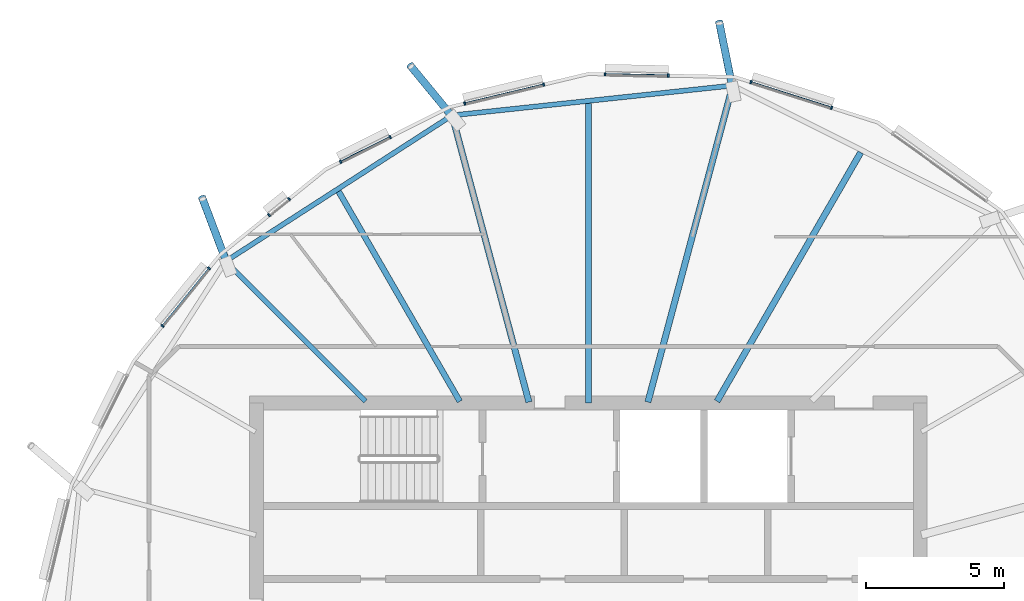
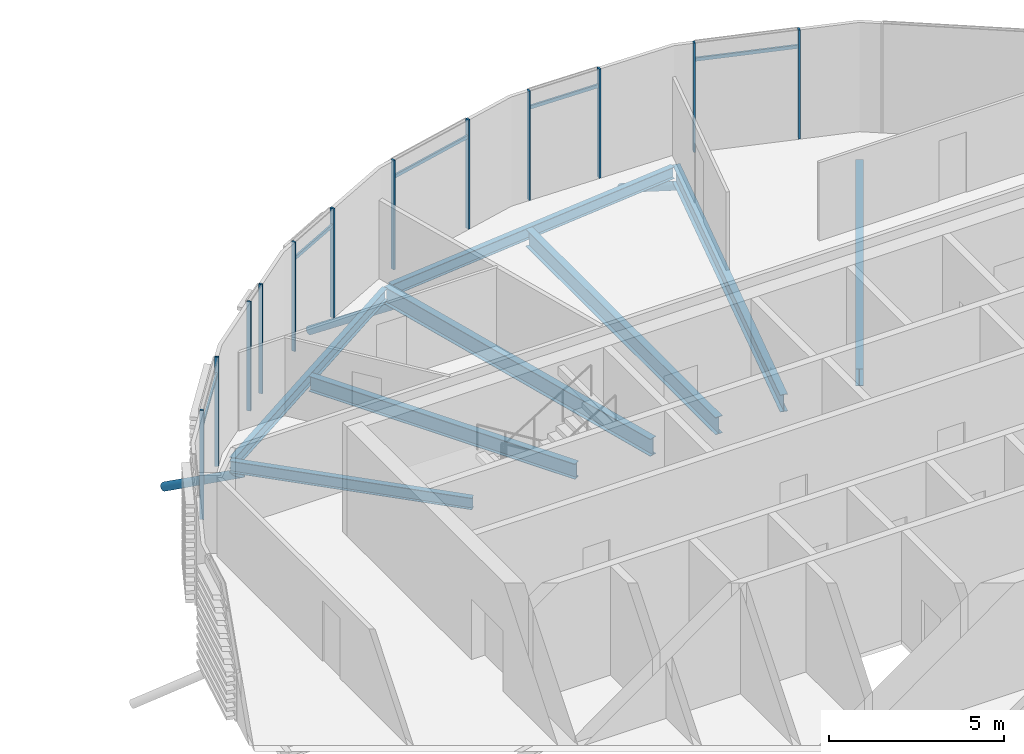
# One storey, part 14 of 41: 20 members, 8 beams, 1 element without a shape of its own.
"""IFC4 building model written with IfcOpenShell, lengths in metres."""

import ifcopenshell
import ifcopenshell.guid

model = None  # the IFC model being written
_history = None  # IfcOwnerHistory: only IFC2X3 demands one
_inside = {}  # id of a spatial element -> (the spatial element, [elements in it])
_under = {}  # id of a project, library or spatial element -> (it, [spatial elements below it])
_declared = {}  # id of a project -> (the project, [libraries it declares])
_typed = {}  # id of a type object -> (the type object, [elements of that type])
_made_of = {}  # id of a material, layer set ... -> (it, [elements and type objects made of it])


def new_model(schema):
    """Start an empty IFC model of exactly this schema.

    Asked for "IFC4X3", IfcOpenShell would pick the latest addendum, in which some entities
    have other attributes; the version numbers below select the first issue.
    IFC2X3 requires an IfcOwnerHistory on every rooted entity: one is made here for all.
    """
    global model, _history
    if schema == "IFC4X3":
        model = ifcopenshell.file(schema_version=(4, 3, 0, 0))
    else:
        model = ifcopenshell.file(schema=schema)
    _inside.clear()
    _under.clear()
    _declared.clear()
    _typed.clear()
    _made_of.clear()
    _history = None
    if model.schema == "IFC2X3":
        org = make("IfcOrganization", Name="unknown")
        user = make(
            "IfcPersonAndOrganization",
            ThePerson=make("IfcPerson", FamilyName="unknown"),
            TheOrganization=org,
        )
        app = make(
            "IfcApplication",
            ApplicationDeveloper=org,
            Version="unknown",
            ApplicationFullName="unknown",
            ApplicationIdentifier="unknown",
        )
        _history = make(
            "IfcOwnerHistory",
            OwningUser=user,
            OwningApplication=app,
            ChangeAction="ADDED",
            CreationDate=0,
        )
    return model


def make(cls, **values):
    """One entity of the class cls with the attributes given. An attribute that is None is left unset."""
    return model.create_entity(
        cls, **{name: value for name, value in values.items() if value is not None}
    )


def rooted(cls, **values):
    """An entity with a GlobalId (a new one), such as an element, a storey or a relation."""
    return make(cls, GlobalId=ifcopenshell.guid.new(), OwnerHistory=_history, **values)


def si_unit(unit_type, name, prefix=None):
    """IfcSIUnit, for example si_unit("LENGTHUNIT", "METRE", prefix="MILLI")."""
    return make("IfcSIUnit", UnitType=unit_type, Prefix=prefix, Name=name)


def assignment(units):
    """IfcUnitAssignment: the units of a project."""
    return None if units is None else make("IfcUnitAssignment", Units=units)


def point(xyz):
    """IfcCartesianPoint."""
    return None if xyz is None else make("IfcCartesianPoint", Coordinates=xyz)


def direction(xyz):
    """IfcDirection."""
    return None if xyz is None else make("IfcDirection", DirectionRatios=xyz)


def frame(location, z_axis=None, x_axis=None):
    """IfcAxis2Placement3D, a coordinate frame: its origin and axes. An axis left out is left unset."""
    return make(
        "IfcAxis2Placement3D",
        Location=point(location),
        Axis=direction(z_axis),
        RefDirection=direction(x_axis),
    )


def frame_2d(location, x_axis=None):
    """IfcAxis2Placement2D, a coordinate frame in the plane: its origin and x axis."""
    return make(
        "IfcAxis2Placement2D", Location=point(location), RefDirection=direction(x_axis)
    )


def origin():
    """The frame at (0, 0, 0) with its axes left unset."""
    return frame((0.0, 0.0, 0.0))


def origin_2d():
    """The frame at (0, 0) in the plane with its x axis left unset."""
    return frame_2d((0.0, 0.0))


def place(relative_to, where):
    """IfcLocalPlacement: puts the frame where relative to a parent placement (None: the world)."""
    return make(
        "IfcLocalPlacement", PlacementRelTo=relative_to, RelativePlacement=where
    )


def context(
    kind, dimensions, precision=None, world=None, true_north=None, identifier=None
):
    """IfcGeometricRepresentationContext, for example the 3D "Model" context."""
    return make(
        "IfcGeometricRepresentationContext",
        ContextIdentifier=identifier,
        ContextType=kind,
        CoordinateSpaceDimension=dimensions,
        Precision=precision,
        WorldCoordinateSystem=world,
        TrueNorth=true_north,
    )


def subcontext(parent, identifier, kind, view, scale=None):
    """IfcGeometricRepresentationSubContext, for example "Body" below "Model"."""
    return make(
        "IfcGeometricRepresentationSubContext",
        ContextIdentifier=identifier,
        ContextType=kind,
        ParentContext=parent,
        TargetScale=scale,
        TargetView=view,
    )


def project(units=None, contexts=None):
    """IfcProject with its units and contexts."""
    return rooted(
        "IfcProject",
        Name="project",
        RepresentationContexts=contexts,
        UnitsInContext=assignment(units),
    )


def spatial(cls, under=None, at=None, **own):
    """A site, building, storey or space (cls), placed at a placement, below another one or the project."""
    s = rooted(cls, ObjectPlacement=at, **own)
    if under is not None:
        _under.setdefault(under.id(), (under, []))[1].append(s)
    return s


def profile(cls, at=None, kind="AREA", **sizes):
    """A parametric profile (cls). Its sizes go by their IFC names, for example OverallWidth=200.0."""
    return make(cls, ProfileType=kind, Position=at, **sizes)


def rectangle(**sizes):
    """IfcRectangleProfileDef."""
    return profile("IfcRectangleProfileDef", **sizes)


def hollow_circle(**sizes):
    """IfcCircleHollowProfileDef."""
    return profile("IfcCircleHollowProfileDef", **sizes)


def i_section(**sizes):
    """IfcIShapeProfileDef."""
    return profile("IfcIShapeProfileDef", **sizes)


def extrude(swept, where, along, depth):
    """IfcExtrudedAreaSolid: the profile swept, set in the frame where, extruded along a direction by depth."""
    return make(
        "IfcExtrudedAreaSolid",
        SweptArea=swept,
        Position=where,
        ExtrudedDirection=direction(along),
        Depth=depth,
    )


def clip(a, b, op="DIFFERENCE"):
    """IfcBooleanClippingResult: the solid a cut by the half space b."""
    return make(
        "IfcBooleanClippingResult", Operator=op, FirstOperand=a, SecondOperand=b
    )


def halfspace(plane, agree):
    """IfcHalfSpaceSolid: all space on one side of the plane z = 0 of the frame plane."""
    return make(
        "IfcHalfSpaceSolid",
        BaseSurface=make("IfcPlane", Position=plane),
        AgreementFlag=agree,
    )


def shape(context_of_items, identifier, shape_type, items):
    """IfcShapeRepresentation: the items that make up one representation, for example the "Body"."""
    return make(
        "IfcShapeRepresentation",
        ContextOfItems=context_of_items,
        RepresentationIdentifier=identifier,
        RepresentationType=shape_type,
        Items=items,
    )


def material(Name=None, Category=None):
    """IfcMaterial."""
    return make("IfcMaterial", Name=Name, Category=Category)


def material_profile(
    of_material, cross_section, Name=None, Category=None, Priority=None
):
    """IfcMaterialProfile: a cross section and its material."""
    return make(
        "IfcMaterialProfile",
        Name=Name,
        Material=of_material,
        Profile=cross_section,
        Priority=Priority,
        Category=Category,
    )


def profile_set(profiles, Name=None, composite=None):
    """IfcMaterialProfileSet."""
    return make(
        "IfcMaterialProfileSet",
        Name=Name,
        MaterialProfiles=profiles,
        CompositeProfile=composite,
    )


def made_of(thing, what):
    """Note that an element or type object is made of a material, layer set ...; save() writes the relation."""
    if what is not None:
        _made_of.setdefault(what.id(), (what, []))[1].append(thing)
    return thing


def type_object(cls, material=None, **own):
    """A type object (cls), such as IfcWallType, which elements share."""
    return made_of(rooted(cls, **own), material)


def element(
    cls,
    number,
    at=None,
    inside=None,
    cuts=None,
    type_object=None,
    material=None,
    context=None,
    identifier="Body",
    shape_type=None,
    held_by="IfcProductDefinitionShape",
    body=None,
    shapes=None,
    **own,
):
    """One element of the class cls, such as IfcWall. Its Tag is "e" and its number.

    at: its placement. inside: the storey or other place that contains it. cuts: it is an
    opening in that element (IfcRelVoidsElement). A single representation is given by context,
    identifier, shape_type and body (its items); several are given by shapes. held_by: the class
    of the entity that holds the representations. save() writes the other relations.
    """
    e = rooted(cls, Tag="e%d" % number, ObjectPlacement=at, **own)
    if body is not None:
        shapes = [shape(context, identifier, shape_type, body)]
    if shapes is not None:
        e.Representation = make(held_by, Representations=shapes)
    if inside is not None:
        _inside.setdefault(inside.id(), (inside, []))[1].append(e)
    if cuts is not None:
        rooted(
            "IfcRelVoidsElement", RelatingBuildingElement=cuts, RelatedOpeningElement=e
        )
    if type_object is not None:
        _typed.setdefault(type_object.id(), (type_object, []))[1].append(e)
    return made_of(e, material)


def aggregate(whole, parts):
    """IfcRelAggregates: a whole, such as a stair, and the parts it consists of."""
    return rooted("IfcRelAggregates", RelatingObject=whole, RelatedObjects=parts)


def save(model, path):
    """Write the relations noted so far, then the file.

    IfcRelAggregates (storeys below a building ...), IfcRelContainedInSpatialStructure (elements
    in a storey), IfcRelDefinesByType, IfcRelAssociatesMaterial and IfcRelDeclares: one each for
    every whole, place, type object, material and project.
    """
    for whole, parts in _under.values():
        aggregate(whole, parts)
    for where, things in _inside.values():
        rooted(
            "IfcRelContainedInSpatialStructure",
            RelatedElements=things,
            RelatingStructure=where,
        )
    for kind, things in _typed.values():
        rooted("IfcRelDefinesByType", RelatedObjects=things, RelatingType=kind)
    for what, things in _made_of.values():
        rooted("IfcRelAssociatesMaterial", RelatedObjects=things, RelatingMaterial=what)
    for by, libraries in _declared.values():
        rooted("IfcRelDeclares", RelatingContext=by, RelatedDefinitions=libraries)
    model.write(path)


model = new_model("IFC4")

# Units and contexts
model_context = context("Model", 3, precision=1e-05, world=origin(), true_north=direction((0.0, 1.0)))
body_context = subcontext(model_context, "Body", "Model", "MODEL_VIEW")
ifc_project = project(units=[si_unit("LENGTHUNIT", "METRE"), si_unit("AREAUNIT", "SQUARE_METRE"), si_unit("VOLUMEUNIT", "CUBIC_METRE"), si_unit("PLANEANGLEUNIT", "RADIAN"), si_unit("MASSUNIT", "GRAM", prefix="KILO")], contexts=[model_context])

# Site, building, storey
site_placement = place(None, origin())
site = spatial("IfcSite", under=ifc_project, at=site_placement, CompositionType="ELEMENT")
building_placement = place(site_placement, origin())
building = spatial("IfcBuilding", under=site, at=building_placement, Name="Rimbun Link Towers", CompositionType="ELEMENT")
storey_placement = place(building_placement, frame((0.0, 0.0, 210.5)))
storey = spatial("IfcBuildingStorey", under=building, at=storey_placement, Name="L51", CompositionType="ELEMENT", Elevation=210.5)

# Curtain wall, members
ifc_material_1 = material(Name="Aluminium 6063-T6 and low-iron glass", Category="aluminium")
curtain_wall_type = type_object("IfcCurtainWallType", Name="CW1-Z4 unitised vision wall (zone 4)", PredefinedType="NOTDEFINED", material=ifc_material_1)
curtain_wall_placement = place(storey_placement, origin())
curtain_wall = element("IfcCurtainWall", 1, at=curtain_wall_placement, inside=storey, type_object=curtain_wall_type, Name="CW1 L51 T2", PredefinedType="NOTDEFINED")
ifc_material_2 = material(Name="Aluminium 6063-T6", Category="aluminium")
ifc_material_profile_1 = material_profile(ifc_material_2, rectangle(XDim=0.1201171875, YDim=0.06005859375, at=origin_2d()), Name="MULLION 60X120")
ifc_profile_set_1 = profile_set([ifc_material_profile_1], Name="Aluminium 6063-T6")
member_type_1 = type_object("IfcMemberType", Name="CW1 mullion 60X120", PredefinedType="MULLION", material=ifc_profile_set_1)
member_1_placement = place(storey_placement, frame((37.625244140625, 19.600341796875, 0.0), z_axis=(0.0, 0.0, 1.0), x_axis=(0.30306786523, 0.952968975919, 0.0)))
member_1 = element("IfcMember", 2, at=member_1_placement, type_object=member_type_1, Name="CW1 mullion", PredefinedType="MULLION", context=body_context, shape_type="SweptSolid", body=[
    extrude(rectangle(XDim=0.1201171875, YDim=0.06005859375, at=origin_2d()), origin(), (0.0, 0.0, 1.0), 3.800048828125),
])
member_2_placement = place(storey_placement, frame((40.5419921875, 18.6728515625, 0.0), z_axis=(0.0, 0.0, 1.0), x_axis=(0.30306786523, 0.952968975919, 0.0)))
member_2 = element("IfcMember", 3, at=member_2_placement, type_object=member_type_1, Name="CW1 mullion", PredefinedType="MULLION", context=body_context, shape_type="SweptSolid", body=[
    extrude(rectangle(XDim=0.1201171875, YDim=0.06005859375, at=origin_2d()), origin(), (0.0, 0.0, 1.0), 3.800048828125),
])
member_3_placement = place(storey_placement, frame((32.35107421875, 19.883544921875, 0.0), z_axis=(0.0, 0.0, 1.0), x_axis=(0.021053739591, 0.999778345459, 0.0)))
member_3 = element("IfcMember", 4, at=member_3_placement, type_object=member_type_1, Name="CW1 mullion", PredefinedType="MULLION", context=body_context, shape_type="SweptSolid", body=[
    extrude(rectangle(XDim=0.1201171875, YDim=0.06005859375, at=origin_2d()), origin(), (0.0, 0.0, 1.0), 3.800048828125),
])
member_4_placement = place(storey_placement, frame((34.63720703125, 19.83544921875, 0.0), z_axis=(0.0, 0.0, 1.0), x_axis=(0.021053739591, 0.999778345459, 0.0)))
member_4 = element("IfcMember", 5, at=member_4_placement, type_object=member_type_1, Name="CW1 mullion", PredefinedType="MULLION", context=body_context, shape_type="SweptSolid", body=[
    extrude(rectangle(XDim=0.1201171875, YDim=0.06005859375, at=origin_2d()), origin(), (0.0, 0.0, 1.0), 3.800048828125),
])
member_5_placement = place(storey_placement, frame((27.27587890625, 18.827880859375, 0.0), z_axis=(0.0, 0.0, 1.0), x_axis=(-0.232599638579, 0.972572572168, 0.0)))
member_5 = element("IfcMember", 6, at=member_5_placement, type_object=member_type_1, Name="CW1 mullion", PredefinedType="MULLION", context=body_context, shape_type="SweptSolid", body=[
    extrude(rectangle(XDim=0.1201171875, YDim=0.06005859375, at=origin_2d()), origin(), (0.0, 0.0, 1.0), 3.800048828125),
])
member_6_placement = place(storey_placement, frame((30.13134765625, 19.510986328125, 0.0), z_axis=(0.0, 0.0, 1.0), x_axis=(-0.232599638579, 0.972572572168, 0.0)))
member_6 = element("IfcMember", 7, at=member_6_placement, type_object=member_type_1, Name="CW1 mullion", PredefinedType="MULLION", context=body_context, shape_type="SweptSolid", body=[
    extrude(rectangle(XDim=0.1201171875, YDim=0.06005859375, at=origin_2d()), origin(), (0.0, 0.0, 1.0), 3.800048828125),
])
member_7_placement = place(storey_placement, frame((22.79296875, 16.71923828125, 0.0), z_axis=(0.0, 0.0, 1.0), x_axis=(-0.448763830524, 0.893650392723, 0.0)))
member_7 = element("IfcMember", 8, at=member_7_placement, type_object=member_type_1, Name="CW1 mullion", PredefinedType="MULLION", context=body_context, shape_type="SweptSolid", body=[
    extrude(rectangle(XDim=0.1201171875, YDim=0.06005859375, at=origin_2d()), origin(), (0.0, 0.0, 1.0), 3.800048828125),
])
member_8_placement = place(storey_placement, frame((24.583251953125, 17.6181640625, 0.0), z_axis=(0.0, 0.0, 1.0), x_axis=(-0.448763830524, 0.893650392723, 0.0)))
member_8 = element("IfcMember", 9, at=member_8_placement, type_object=member_type_1, Name="CW1 mullion", PredefinedType="MULLION", context=body_context, shape_type="SweptSolid", body=[
    extrude(rectangle(XDim=0.1201171875, YDim=0.06005859375, at=origin_2d()), origin(), (0.0, 0.0, 1.0), 3.800048828125),
])
member_9_placement = place(storey_placement, frame((20.203857421875, 14.7900390625, 0.0), z_axis=(0.0, 0.0, 1.0), x_axis=(-0.629171955734, 0.777266138538, 0.0)))
member_9 = element("IfcMember", 10, at=member_9_placement, type_object=member_type_1, Name="CW1 mullion", PredefinedType="MULLION", context=body_context, shape_type="SweptSolid", body=[
    extrude(rectangle(XDim=0.1201171875, YDim=0.06005859375, at=origin_2d()), origin(), (0.0, 0.0, 1.0), 3.800048828125),
])
member_10_placement = place(storey_placement, frame((20.924560546875, 15.373291015625, 0.0), z_axis=(0.0, 0.0, 1.0), x_axis=(-0.629171955734, 0.777266138538, 0.0)))
member_10 = element("IfcMember", 11, at=member_10_placement, type_object=member_type_1, Name="CW1 mullion", PredefinedType="MULLION", context=body_context, shape_type="SweptSolid", body=[
    extrude(rectangle(XDim=0.1201171875, YDim=0.06005859375, at=origin_2d()), origin(), (0.0, 0.0, 1.0), 3.800048828125),
])
member_11_placement = place(storey_placement, frame((16.34521484375, 10.78662109375, 0.0), z_axis=(0.0, 0.0, 1.0), x_axis=(-0.777266138538, 0.629171955734, 0.0)))
member_11 = element("IfcMember", 12, at=member_11_placement, type_object=member_type_1, Name="CW1 mullion", PredefinedType="MULLION", context=body_context, shape_type="SweptSolid", body=[
    extrude(rectangle(XDim=0.1201171875, YDim=0.06005859375, at=origin_2d()), origin(), (0.0, 0.0, 1.0), 3.800048828125),
])
member_12_placement = place(storey_placement, frame((18.029541015625, 12.86767578125, 0.0), z_axis=(0.0, 0.0, 1.0), x_axis=(-0.777266138538, 0.629171955734, 0.0)))
member_12 = element("IfcMember", 13, at=member_12_placement, type_object=member_type_1, Name="CW1 mullion", PredefinedType="MULLION", context=body_context, shape_type="SweptSolid", body=[
    extrude(rectangle(XDim=0.1201171875, YDim=0.06005859375, at=origin_2d()), origin(), (0.0, 0.0, 1.0), 3.800048828125),
])
ifc_material_3 = material(Name="Aluminium 6063-T6", Category="aluminium")
ifc_material_profile_2 = material_profile(ifc_material_3, rectangle(XDim=0.06005859375, YDim=0.1201171875, at=origin_2d()), Name="TRANSOM 60X120")
ifc_profile_set_2 = profile_set([ifc_material_profile_2], Name="Aluminium 6063-T6")
member_type_2 = type_object("IfcMemberType", Name="CW1 transom 60X120", PredefinedType="USERDEFINED", material=ifc_profile_set_2)
member_13_placement = place(storey_placement, frame((37.6533203125, 19.58935546875, 3.199951171875), z_axis=(0.952962105591, -0.303089467497, 0.0), x_axis=(0.303089467497, 0.952962105591, 0.0)))
member_13 = element("IfcMember", 14, at=member_13_placement, type_object=member_type_2, Name="CW1 transom", ObjectType="TRANSOM", PredefinedType="USERDEFINED", context=body_context, shape_type="SweptSolid", body=[
    extrude(rectangle(XDim=0.06005859375, YDim=0.1201171875, at=origin_2d()), origin(), (0.0, 0.0, 1.0), 3.00048828125),
])
member_14_placement = place(storey_placement, frame((32.381103515625, 19.881103515625, 3.199951171875), z_axis=(0.999778369826, -0.021052582475, 0.0), x_axis=(0.021052582475, 0.999778369826, 0.0)))
member_14 = element("IfcMember", 15, at=member_14_placement, type_object=member_type_2, Name="CW1 transom", ObjectType="TRANSOM", PredefinedType="USERDEFINED", context=body_context, shape_type="SweptSolid", body=[
    extrude(rectangle(XDim=0.06005859375, YDim=0.1201171875, at=origin_2d()), origin(), (0.0, 0.0, 1.0), 2.2265625),
])
member_15_placement = place(storey_placement, frame((27.3056640625, 18.8330078125, 3.199951171875), z_axis=(0.972568871731, 0.232615110732, 0.0), x_axis=(-0.232615110732, 0.972568871731, 0.0)))
member_15 = element("IfcMember", 16, at=member_15_placement, type_object=member_type_2, Name="CW1 transom", ObjectType="TRANSOM", PredefinedType="USERDEFINED", context=body_context, shape_type="SweptSolid", body=[
    extrude(rectangle(XDim=0.06005859375, YDim=0.1201171875, at=origin_2d()), origin(), (0.0, 0.0, 1.0), 2.875732421875),
])
member_16_placement = place(storey_placement, frame((22.820556640625, 16.73095703125, 3.199951171875), z_axis=(0.893672190961, 0.448720419752, 0.0), x_axis=(-0.448720419752, 0.893672190961, 0.0)))
member_16 = element("IfcMember", 17, at=member_16_placement, type_object=member_type_2, Name="CW1 transom", ObjectType="TRANSOM", PredefinedType="USERDEFINED", context=body_context, shape_type="SweptSolid", body=[
    extrude(rectangle(XDim=0.06005859375, YDim=0.1201171875, at=origin_2d()), origin(), (0.0, 0.0, 1.0), 1.943359375),
])
member_17_placement = place(storey_placement, frame((16.36572265625, 10.80859375, 3.199951171875), z_axis=(0.629155294601, 0.777279624894, 0.0), x_axis=(-0.777279624894, 0.629155294601, 0.0)))
member_17 = element("IfcMember", 18, at=member_17_placement, type_object=member_type_2, Name="CW1 transom", ObjectType="TRANSOM", PredefinedType="USERDEFINED", context=body_context, shape_type="SweptSolid", body=[
    extrude(rectangle(XDim=0.06005859375, YDim=0.1201171875, at=origin_2d()), origin(), (0.0, 0.0, 1.0), 2.617431640625),
])
aggregate(curtain_wall, [member_1, member_2, member_3, member_4, member_5, member_6, member_7, member_8, member_9, member_10, member_11, member_12, member_13, member_14, member_15, member_16, member_17])

# Members
ifc_material_4 = material(Name="Steel S355J2H", Category="steel")
ifc_material_profile_3 = material_profile(ifc_material_4, hollow_circle(Radius=0.136474609375, WallThickness=0.012451171875, at=origin_2d()), Name="CHS 273x12.5")
ifc_profile_set_3 = profile_set([ifc_material_profile_3], Name="Steel S355J2H")
member_type_3 = type_object("IfcMemberType", Name="Floor edge link CHS 273x12.5", PredefinedType="BRACE", material=ifc_profile_set_3)
member_18_placement = place(storey_placement, frame((36.955810546875, 19.427978515625, -0.861572265625), z_axis=(-0.174298629197, 0.856085040289, -0.486557696119), x_axis=(-0.979896483036, -0.199506597722, 0.0)))
element("IfcMember", 19, at=member_18_placement, inside=storey, type_object=member_type_3, Name="Floor edge link T2 L51 02", PredefinedType="BRACE", context=body_context, shape_type="Clipping", body=[
    clip(extrude(hollow_circle(Radius=0.136474609375, WallThickness=0.012451171875, at=origin_2d()), frame((0.0, 0.0, -0.5107421875)), (0.0, 0.0, 1.0), 3.251953125), halfspace(frame((0.0, 0.0, -0.240478515625), z_axis=(0.0, 0.873648446657, -0.486557696119)), False)),
])
member_19_placement = place(storey_placement, frame((26.833984375, 18.3466796875, -0.85986328125), z_axis=(-0.546939693858, 0.664265672843, -0.509517504278), x_axis=(-0.771988759494, -0.635636181487, 0.0)))
element("IfcMember", 20, at=member_19_placement, inside=storey, type_object=member_type_3, Name="Floor edge link T2 L51 04", PredefinedType="BRACE", context=body_context, shape_type="Clipping", body=[
    clip(extrude(hollow_circle(Radius=0.136474609375, WallThickness=0.012451171875, at=origin_2d()), frame((0.0, 0.0, -0.480712890625)), (0.0, 0.0, 1.0), 3.279296875), halfspace(frame((0.0, 0.0, -0.226318359375), z_axis=(0.0, 0.86046029126, -0.509517504278)), False)),
])
member_20_placement = place(storey_placement, frame((18.6669921875, 13.0830078125, -0.662841796875), z_axis=(-0.302155045675, 0.799200511887, -0.519596834259), x_axis=(-0.935381191645, -0.353641098174, 0.0)))
element("IfcMember", 21, at=member_20_placement, inside=storey, type_object=member_type_3, Name="Floor edge link T2 L51 06", PredefinedType="BRACE", context=body_context, shape_type="Clipping", body=[
    clip(extrude(hollow_circle(Radius=0.136474609375, WallThickness=0.012451171875, at=origin_2d()), frame((0.0, 0.0, -0.468017578125)), (0.0, 0.0, 1.0), 3.40185546875), halfspace(frame((0.0, 0.0, -0.22021484375), z_axis=(0.0, 0.854411569343, -0.519596834259)), False)),
])

# Beams
ifc_material_5 = material(Name="Steel S355J2", Category="steel")
ifc_material_profile_4 = material_profile(ifc_material_5, i_section(OverallWidth=0.177978515625, OverallDepth=0.406494140625, WebThickness=0.0078125, FlangeThickness=0.0126953125, at=origin_2d()), Name="UB 406x178x60")
ifc_profile_set_4 = profile_set([ifc_material_profile_4], Name="Steel S355J2")
beam_type_1 = type_object("IfcBeamType", Name="UB 406x178x60", PredefinedType="BEAM", material=ifc_profile_set_4)
beam_1_placement = place(storey_placement, frame((23.686279296875, 8.063720703125, -0.34326171875), z_axis=(-0.707106781187, 0.707106781187, 0.0), x_axis=(-0.707106781187, -0.707106781187, 0.0)))
element("IfcBeam", 22, at=beam_1_placement, inside=storey, type_object=beam_type_1, Name="Radial beam T2 L51 06", PredefinedType="BEAM", context=body_context, shape_type="SweptSolid", body=[
    extrude(i_section(OverallWidth=0.177978515625, OverallDepth=0.406494140625, WebThickness=0.0078125, FlangeThickness=0.0126953125, at=origin_2d()), origin(), (0.0, 0.0, 1.0), 7.1484375),
])
beam_2_placement = place(storey_placement, frame((36.846435546875, 19.46337890625, -0.34326171875), z_axis=(-0.99437135441, -0.10595097701, 0.0), x_axis=(0.10595097701, -0.99437135441, 0.0)))
element("IfcBeam", 23, at=beam_2_placement, inside=storey, type_object=beam_type_1, Name="Edge beam T2 L51 02-04", PredefinedType="BEAM", context=body_context, shape_type="SweptSolid", body=[
    extrude(i_section(OverallWidth=0.177978515625, OverallDepth=0.406494140625, WebThickness=0.0078125, FlangeThickness=0.0126953125, at=origin_2d()), origin(), (0.0, 0.0, 1.0), 9.966064453125),
])
beam_3_placement = place(storey_placement, frame((26.7197265625, 18.329833984375, -0.34326171875), z_axis=(-0.840611990977, -0.541637776217, 0.0), x_axis=(0.541637776217, -0.840611990977, 0.0)))
element("IfcBeam", 24, at=beam_3_placement, inside=storey, type_object=beam_type_1, Name="Edge beam T2 L51 04-06", PredefinedType="BEAM", context=body_context, shape_type="SweptSolid", body=[
    extrude(i_section(OverallWidth=0.177978515625, OverallDepth=0.406494140625, WebThickness=0.0078125, FlangeThickness=0.0126953125, at=origin_2d()), origin(), (0.0, 0.0, 1.0), 9.529541015625),
])
ifc_material_6 = material(Name="Steel S355J2", Category="steel")
ifc_material_profile_5 = material_profile(ifc_material_6, i_section(OverallWidth=0.209228515625, OverallDepth=0.533203125, WebThickness=0.010009765625, FlangeThickness=0.015625, at=origin_2d()), Name="UB 533x210x92")
ifc_profile_set_5 = profile_set([ifc_material_profile_5], Name="Steel S355J2")
beam_type_2 = type_object("IfcBeamType", Name="UB 533x210x92", PredefinedType="BEAM", material=ifc_profile_set_5)
beam_4_placement = place(storey_placement, frame((27.1005859375, 8.05322265625, -0.406494140625), z_axis=(-0.500009360108, 0.866019999656, 0.0), x_axis=(-0.866019999656, -0.500009360108, 0.0)))
element("IfcBeam", 25, at=beam_4_placement, inside=storey, type_object=beam_type_2, Name="Radial beam T2 L51 05", PredefinedType="BEAM", context=body_context, shape_type="SweptSolid", body=[
    extrude(i_section(OverallWidth=0.209228515625, OverallDepth=0.533203125, WebThickness=0.010009765625, FlangeThickness=0.015625, at=origin_2d()), origin(), (0.0, 0.0, 1.0), 8.765380859375),
])
ifc_material_7 = material(Name="Steel S355J2", Category="steel")
ifc_material_profile_6 = material_profile(ifc_material_7, i_section(OverallWidth=0.2275390625, OverallDepth=0.6025390625, WebThickness=0.010498046875, FlangeThickness=0.014892578125, at=origin_2d()), Name="UB 610x229x101")
ifc_profile_set_6 = profile_set([ifc_material_profile_6], Name="Steel S355J2")
beam_type_3 = type_object("IfcBeamType", Name="UB 610x229x101", PredefinedType="BEAM", material=ifc_profile_set_6)
beam_5_placement = place(storey_placement, frame((36.402099609375, 8.057861328125, -0.44140625), z_axis=(0.500014053459, 0.866017289864, 0.0), x_axis=(-0.866017289864, 0.500014053459, 0.0)))
element("IfcBeam", 26, at=beam_5_placement, inside=storey, type_object=beam_type_3, Name="Radial beam T2 L51 01", PredefinedType="BEAM", context=body_context, shape_type="SweptSolid", body=[
    extrude(i_section(OverallWidth=0.2275390625, OverallDepth=0.6025390625, WebThickness=0.010498046875, FlangeThickness=0.014892578125, at=origin_2d()), origin(), (0.0, 0.0, 1.0), 10.387939453125),
])
beam_6_placement = place(storey_placement, frame((33.901611328125, 8.030517578125, -0.44140625), z_axis=(0.258838382704, 0.965920644587, 0.0), x_axis=(-0.965920644587, 0.258838382704, 0.0)))
element("IfcBeam", 27, at=beam_6_placement, inside=storey, type_object=beam_type_3, Name="Radial beam T2 L51 02", PredefinedType="BEAM", context=body_context, shape_type="SweptSolid", body=[
    extrude(i_section(OverallWidth=0.2275390625, OverallDepth=0.6025390625, WebThickness=0.010498046875, FlangeThickness=0.014892578125, at=origin_2d()), origin(), (0.0, 0.0, 1.0), 11.849609375),
])
beam_7_placement = place(storey_placement, frame((31.75, 8.0009765625, -0.44140625), z_axis=(0.0, 1.0, 0.0), x_axis=(-1.0, 0.0, 0.0)))
element("IfcBeam", 28, at=beam_7_placement, inside=storey, type_object=beam_type_3, Name="Radial beam T2 L51 03", PredefinedType="BEAM", context=body_context, shape_type="SweptSolid", body=[
    extrude(i_section(OverallWidth=0.2275390625, OverallDepth=0.6025390625, WebThickness=0.010498046875, FlangeThickness=0.014892578125, at=origin_2d()), origin(), (0.0, 0.0, 1.0), 10.828857421875),
])
beam_8_placement = place(storey_placement, frame((29.598388671875, 8.030517578125, -0.44140625), z_axis=(-0.258835028784, 0.965921543333, 0.0), x_axis=(-0.965921543333, -0.258835028784, 0.0)))
element("IfcBeam", 29, at=beam_8_placement, inside=storey, type_object=beam_type_3, Name="Radial beam T2 L51 04", PredefinedType="BEAM", context=body_context, shape_type="SweptSolid", body=[
    extrude(i_section(OverallWidth=0.2275390625, OverallDepth=0.6025390625, WebThickness=0.010498046875, FlangeThickness=0.014892578125, at=origin_2d()), origin(), (0.0, 0.0, 1.0), 10.730224609375),
])

save(model, "model.ifc")
